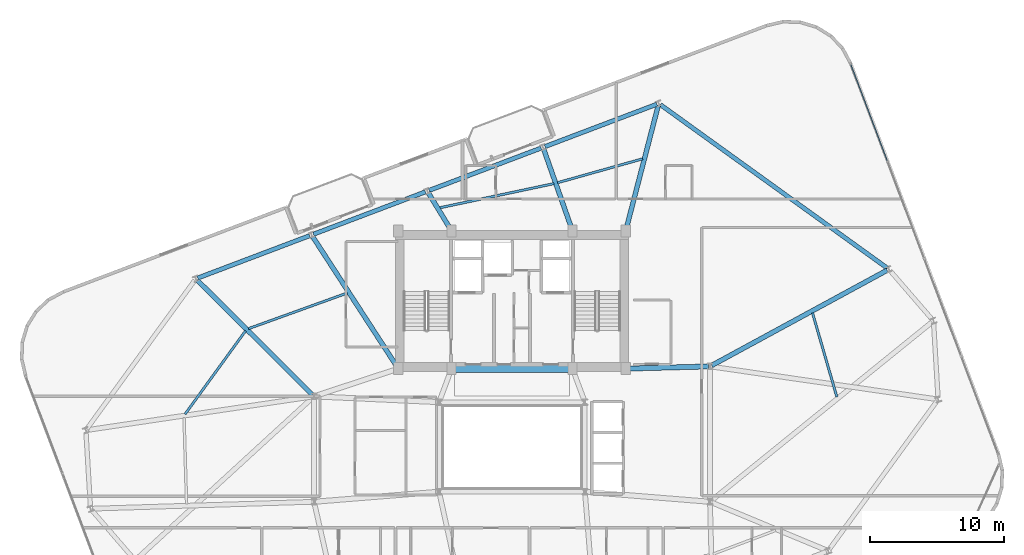
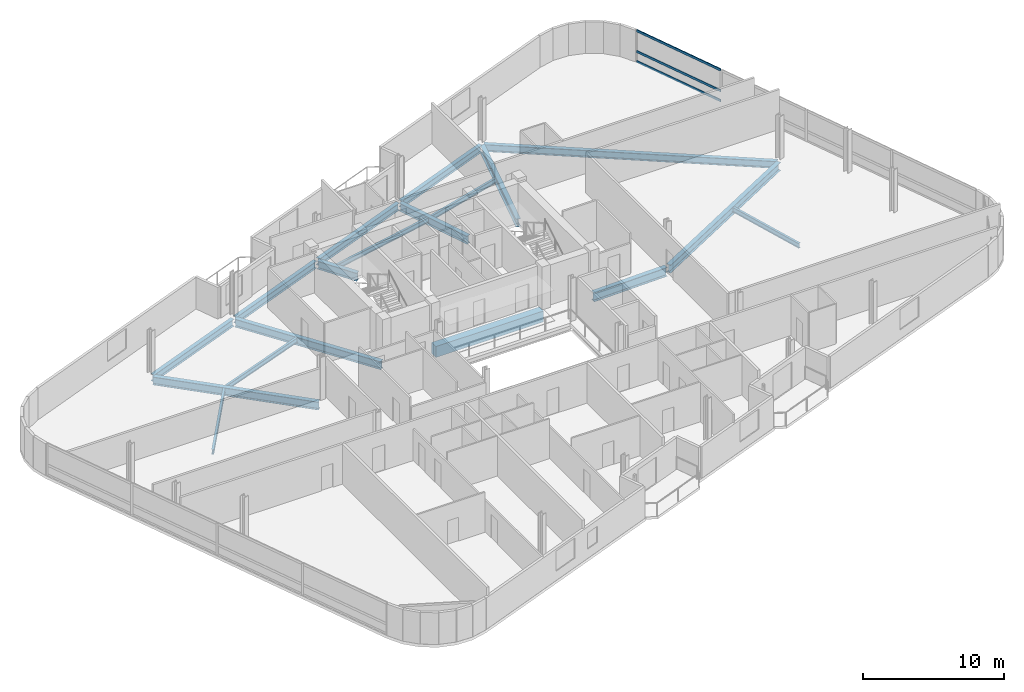
# One storey, part 11 of 24: 18 beams, 3 members, 1 element without a shape of its own.
"""IFC4 building model written with IfcOpenShell, lengths in metres."""

from ifc_helpers import new_model, si_unit, direction, frame, origin, origin_2d, place, context, subcontext, project, spatial, rectangle, hollow_rectangle, i_section, extrude, material, layer, layer_set, material_profile, profile_set, type_object, element, aggregate, save


model = new_model("IFC4")

# Units and contexts
model_context = context("Model", 3, precision=1e-05, world=origin(), true_north=direction((0.0, 1.0)))
body_context = subcontext(model_context, "Body", "Model", "MODEL_VIEW")
ifc_project = project(units=[si_unit("LENGTHUNIT", "METRE"), si_unit("AREAUNIT", "SQUARE_METRE"), si_unit("VOLUMEUNIT", "CUBIC_METRE"), si_unit("PLANEANGLEUNIT", "RADIAN"), si_unit("MASSUNIT", "GRAM", prefix="KILO")], contexts=[model_context])

# Site, building, storey
site_placement = place(None, origin())
site = spatial("IfcSite", under=ifc_project, at=site_placement, CompositionType="ELEMENT")
building_placement = place(site_placement, origin())
building = spatial("IfcBuilding", under=site, at=building_placement, Name="Varnelok Gate Tower", CompositionType="ELEMENT")
storey_placement = place(building_placement, frame((0.0, 0.0, 212.699951171875)))
storey = spatial("IfcBuildingStorey", under=building, at=storey_placement, Name="L54", CompositionType="ELEMENT", Elevation=212.699951171875)

# Beams
ifc_material_1 = material(Name="Structural Steel ASTM A992 Grade 50", Category="steel")
ifc_material_profile_1 = material_profile(ifc_material_1, i_section(OverallWidth=0.180908203125, OverallDepth=0.4169921875, WebThickness=0.010986328125, FlangeThickness=0.018310546875, FilletRadius=0.013916015625, at=origin_2d()), Name="W16X57")
ifc_profile_set_1 = profile_set([ifc_material_profile_1], Name="Structural Steel ASTM A992 Grade 50")
beam_type_1 = type_object("IfcBeamType", Name="BM-JST-W16X57", PredefinedType="JOIST", material=ifc_profile_set_1)
beam_1_placement = place(storey_placement, frame((63.483154296875, 26.640625, -0.45849609375), z_axis=(-0.278450434379, 0.960450600288, 0.0), x_axis=(-0.960450600288, -0.278450434379, 0.0)))
element("IfcBeam", 1, at=beam_1_placement, inside=storey, type_object=beam_type_1, Name="L54 Sector Floor Joist 6", PredefinedType="JOIST", context=body_context, shape_type="SweptSolid", body=[
    extrude(i_section(OverallWidth=0.180908203125, OverallDepth=0.4169921875, WebThickness=0.010986328125, FlangeThickness=0.018310546875, FilletRadius=0.013916015625, at=origin_2d()), origin(), (0.0, 0.0, 1.0), 6.541748046875),
])
beam_2_placement = place(storey_placement, frame((48.9736328125, 44.439697265625, -0.45849609375), z_axis=(-0.962703489882, -0.270558663823, 0.0), x_axis=(0.270558663823, -0.962703489882, 0.0)))
element("IfcBeam", 2, at=beam_2_placement, inside=storey, type_object=beam_type_1, Name="L54 Sector Floor Joist 7", PredefinedType="JOIST", context=body_context, shape_type="SweptSolid", body=[
    extrude(i_section(OverallWidth=0.180908203125, OverallDepth=0.4169921875, WebThickness=0.010986328125, FlangeThickness=0.018310546875, FilletRadius=0.013916015625, at=origin_2d()), origin(), (0.0, 0.0, 1.0), 6.61962890625),
])
beam_3_placement = place(storey_placement, frame((42.3291015625, 42.581787109375, -0.45849609375), z_axis=(-0.97831692742, -0.207113470162, 0.0), x_axis=(0.207113470162, -0.97831692742, 0.0)))
element("IfcBeam", 3, at=beam_3_placement, inside=storey, type_object=beam_type_1, Name="L54 Sector Floor Joist 8", PredefinedType="JOIST", context=body_context, shape_type="SweptSolid", body=[
    extrude(i_section(OverallWidth=0.180908203125, OverallDepth=0.4169921875, WebThickness=0.010986328125, FlangeThickness=0.018310546875, FilletRadius=0.013916015625, at=origin_2d()), origin(), (0.0, 0.0, 1.0), 8.733642578125),
])
beam_4_placement = place(storey_placement, frame((26.873779296875, 34.400634765625, -0.45849609375), z_axis=(-0.940629571246, -0.339434838661, 0.0), x_axis=(0.339434838661, -0.940629571246, 0.0)))
element("IfcBeam", 4, at=beam_4_placement, inside=storey, type_object=beam_type_1, Name="L54 Sector Floor Joist 9", PredefinedType="JOIST", context=body_context, shape_type="SweptSolid", body=[
    extrude(i_section(OverallWidth=0.180908203125, OverallDepth=0.4169921875, WebThickness=0.010986328125, FlangeThickness=0.018310546875, FilletRadius=0.013916015625, at=origin_2d()), origin(), (0.0, 0.0, 1.0), 7.842041015625),
])
beam_5_placement = place(storey_placement, frame((19.283447265625, 31.577880859375, -0.45849609375), z_axis=(-0.587551078191, -0.809187080048, 0.0), x_axis=(0.809187080048, -0.587551078191, 0.0)))
element("IfcBeam", 5, at=beam_5_placement, inside=storey, type_object=beam_type_1, Name="L54 Sector Floor Joist 10", PredefinedType="JOIST", context=body_context, shape_type="SweptSolid", body=[
    extrude(i_section(OverallWidth=0.180908203125, OverallDepth=0.4169921875, WebThickness=0.010986328125, FlangeThickness=0.018310546875, FilletRadius=0.013916015625, at=origin_2d()), origin(), (0.0, 0.0, 1.0), 7.697509765625),
])
ifc_material_2 = material(Name="Concrete C60/75", Category="concrete")
ifc_material_profile_2 = material_profile(ifc_material_2, rectangle(XDim=0.60009765625, YDim=0.949951171875, at=origin_2d()), Name="RC950X600")
ifc_profile_set_2 = profile_set([ifc_material_profile_2], Name="Concrete C60/75")
beam_type_2 = type_object("IfcBeamType", Name="BM-LNT-RC950", PredefinedType="LINTEL", material=ifc_profile_set_2)
beam_6_placement = place(storey_placement, frame((34.800048828125, 28.75, -0.724853515625), z_axis=(1.0, 0.0, 0.0), x_axis=(0.0, 1.0, 0.0)))
element("IfcBeam", 6, at=beam_6_placement, inside=storey, type_object=beam_type_2, Name="L54 Core-Atrium Spine Beam 7", PredefinedType="LINTEL", context=body_context, shape_type="SweptSolid", body=[
    extrude(rectangle(XDim=0.60009765625, YDim=0.949951171875, at=origin_2d()), origin(), (0.0, 0.0, 1.0), 8.800048828125),
])
ifc_material_profile_3 = material_profile(ifc_material_1, i_section(OverallWidth=0.35498046875, OverallDepth=0.696044921875, WebThickness=0.015380859375, FlangeThickness=0.02490234375, FilletRadius=0.02001953125, at=origin_2d()), Name="W27X146")
ifc_profile_set_3 = profile_set([ifc_material_profile_3], Name="Structural Steel ASTM A992 Grade 50")
beam_type_3 = type_object("IfcBeamType", Name="BM-PRI-W27X146", PredefinedType="BEAM", material=ifc_profile_set_3)
beam_7_placement = place(storey_placement, frame((54.1318359375, 28.99169921875, -0.597900390625), z_axis=(0.878855196349, 0.477088612157, 0.0), x_axis=(-0.477088612157, 0.878855196349, 0.0)))
element("IfcBeam", 7, at=beam_7_placement, inside=storey, type_object=beam_type_3, Name="L54 Radial Floor Girder 8", PredefinedType="BEAM", context=body_context, shape_type="SweptSolid", body=[
    extrude(i_section(OverallWidth=0.35498046875, OverallDepth=0.696044921875, WebThickness=0.015380859375, FlangeThickness=0.02490234375, FilletRadius=0.02001953125, at=origin_2d()), origin(), (0.0, 0.0, 1.0), 14.91650390625),
])
beam_8_placement = place(storey_placement, frame((47.73779296875, 39.1953125, -0.597900390625), z_axis=(0.251175366301, 0.967941597083, 0.0), x_axis=(-0.967941597083, 0.251175366301, 0.0)))
element("IfcBeam", 8, at=beam_8_placement, inside=storey, type_object=beam_type_3, Name="L54 Radial Floor Girder 9", PredefinedType="BEAM", context=body_context, shape_type="SweptSolid", body=[
    extrude(i_section(OverallWidth=0.35498046875, OverallDepth=0.696044921875, WebThickness=0.015380859375, FlangeThickness=0.02490234375, FilletRadius=0.02001953125, at=origin_2d()), origin(), (0.0, 0.0, 1.0), 9.537109375),
])
beam_9_placement = place(storey_placement, frame((43.670166015625, 39.19140625, -0.597900390625), z_axis=(-0.332145441042, 0.943228183419, 0.0), x_axis=(-0.943228183419, -0.332145441042, 0.0)))
element("IfcBeam", 9, at=beam_9_placement, inside=storey, type_object=beam_type_3, Name="L54 Radial Floor Girder 10", PredefinedType="BEAM", context=body_context, shape_type="SweptSolid", body=[
    extrude(i_section(OverallWidth=0.35498046875, OverallDepth=0.696044921875, WebThickness=0.015380859375, FlangeThickness=0.02490234375, FilletRadius=0.02001953125, at=origin_2d()), origin(), (0.0, 0.0, 1.0), 6.32275390625),
])
beam_10_placement = place(storey_placement, frame((34.60205078125, 39.177978515625, -0.597900390625), z_axis=(-0.520275699177, 0.853998358808, 0.0), x_axis=(-0.853998358808, -0.520275699177, 0.0)))
element("IfcBeam", 10, at=beam_10_placement, inside=storey, type_object=beam_type_3, Name="L54 Radial Floor Girder 11", PredefinedType="BEAM", context=body_context, shape_type="SweptSolid", body=[
    extrude(i_section(OverallWidth=0.35498046875, OverallDepth=0.696044921875, WebThickness=0.015380859375, FlangeThickness=0.02490234375, FilletRadius=0.02001953125, at=origin_2d()), origin(), (0.0, 0.0, 1.0), 3.18017578125),
])
beam_11_placement = place(storey_placement, frame((30.618408203125, 28.8759765625, -0.597900390625), z_axis=(-0.544016338938, 0.839074623004, 0.0), x_axis=(-0.839074623004, -0.544016338938, 0.0)))
element("IfcBeam", 11, at=beam_11_placement, inside=storey, type_object=beam_type_3, Name="L54 Radial Floor Girder 12", PredefinedType="BEAM", context=body_context, shape_type="SweptSolid", body=[
    extrude(i_section(OverallWidth=0.35498046875, OverallDepth=0.696044921875, WebThickness=0.015380859375, FlangeThickness=0.02490234375, FilletRadius=0.02001953125, at=origin_2d()), origin(), (0.0, 0.0, 1.0), 11.61376953125),
])
beam_12_placement = place(storey_placement, frame((24.293701171875, 26.785888671875, -0.597900390625), z_axis=(-0.708740938647, 0.705468838352, 0.0), x_axis=(-0.705468838352, -0.708740938647, 0.0)))
element("IfcBeam", 12, at=beam_12_placement, inside=storey, type_object=beam_type_3, Name="L54 Radial Floor Girder 13", PredefinedType="BEAM", context=body_context, shape_type="SweptSolid", body=[
    extrude(i_section(OverallWidth=0.35498046875, OverallDepth=0.696044921875, WebThickness=0.015380859375, FlangeThickness=0.02490234375, FilletRadius=0.02001953125, at=origin_2d()), origin(), (0.0, 0.0, 1.0), 12.161865234375),
])
ifc_material_profile_4 = material_profile(ifc_material_1, i_section(OverallWidth=0.381103515625, OverallDepth=0.77294921875, WebThickness=0.0166015625, FlangeThickness=0.027099609375, FilletRadius=0.02197265625, at=origin_2d()), Name="W30X173")
ifc_profile_set_4 = profile_set([ifc_material_profile_4], Name="Structural Steel ASTM A992 Grade 50")
beam_type_4 = type_object("IfcBeamType", Name="BM-PRI-W30X173", PredefinedType="BEAM", material=ifc_profile_set_4)
beam_13_placement = place(storey_placement, frame((47.820068359375, 28.753173828125, -0.636474609375), z_axis=(0.999635880609, 0.026983443053, 0.0), x_axis=(-0.026983443053, 0.999635880609, 0.0)))
element("IfcBeam", 13, at=beam_13_placement, inside=storey, type_object=beam_type_4, Name="L54 Core-Atrium Spine Beam 19", PredefinedType="BEAM", context=body_context, shape_type="SweptSolid", body=[
    extrude(i_section(OverallWidth=0.381103515625, OverallDepth=0.77294921875, WebThickness=0.0166015625, FlangeThickness=0.027099609375, FilletRadius=0.02197265625, at=origin_2d()), origin(), (0.0, 0.0, 1.0), 6.06201171875),
])
ifc_material_profile_5 = material_profile(ifc_material_1, i_section(OverallWidth=0.323974609375, OverallDepth=0.611083984375, WebThickness=0.0126953125, FlangeThickness=0.01904296875, FilletRadius=0.01806640625, at=origin_2d()), Name="W24X104")
ifc_profile_set_5 = profile_set([ifc_material_profile_5], Name="Structural Steel ASTM A992 Grade 50")
beam_type_5 = type_object("IfcBeamType", Name="BM-SPN-W24X104", PredefinedType="SPANDREL", material=ifc_profile_set_5)
beam_14_placement = place(storey_placement, frame((67.251220703125, 36.267333984375, -0.555419921875), z_axis=(-0.811382769408, 0.58451518501, 0.0), x_axis=(-0.58451518501, -0.811382769408, 0.0)))
element("IfcBeam", 14, at=beam_14_placement, inside=storey, type_object=beam_type_5, Name="L54 Perimeter Spandrel Beam 8", PredefinedType="SPANDREL", context=body_context, shape_type="SweptSolid", body=[
    extrude(i_section(OverallWidth=0.323974609375, OverallDepth=0.611083984375, WebThickness=0.0126953125, FlangeThickness=0.01904296875, FilletRadius=0.01806640625, at=origin_2d()), origin(), (0.0, 0.0, 1.0), 20.900634765625),
])
beam_15_placement = place(storey_placement, frame((50.03076171875, 48.518798828125, -0.555419921875), z_axis=(-0.935220356141, -0.354066216208, 0.0), x_axis=(0.354066216208, -0.935220356141, 0.0)))
element("IfcBeam", 15, at=beam_15_placement, inside=storey, type_object=beam_type_5, Name="L54 Perimeter Spandrel Beam 9", PredefinedType="SPANDREL", context=body_context, shape_type="SweptSolid", body=[
    extrude(i_section(OverallWidth=0.323974609375, OverallDepth=0.611083984375, WebThickness=0.0126953125, FlangeThickness=0.01904296875, FilletRadius=0.01806640625, at=origin_2d()), origin(), (0.0, 0.0, 1.0), 8.9501953125),
])
for number, where, z_axis, x_axis, name in (
    (16, (41.3798828125, 45.24365234375, -0.555419921875), (-0.935225969099, -0.354051389947, 0.0), (0.354051389947, -0.935225969099, 0.0), "L54 Perimeter Spandrel Beam 10"),
    (17, (32.72900390625, 41.96875, -0.555419921875), (-0.935216936382, -0.354075248928, 0.0), (0.354075248928, -0.935216936382, 0.0), "L54 Perimeter Spandrel Beam 11"),
):
    element("IfcBeam", number, at=place(storey_placement, frame(where, z_axis=z_axis, x_axis=x_axis)), inside=storey, type_object=beam_type_5, Name=name, PredefinedType="SPANDREL", context=body_context, shape_type="SweptSolid", body=[
        extrude(i_section(OverallWidth=0.323974609375, OverallDepth=0.611083984375, WebThickness=0.0126953125, FlangeThickness=0.01904296875, FilletRadius=0.01806640625, at=origin_2d()), origin(), (0.0, 0.0, 1.0), 8.949951171875),
    ])
beam_16_placement = place(storey_placement, frame((24.078369140625, 38.693603515625, -0.555419921875), z_axis=(-0.935220356141, -0.354066216208, 0.0), x_axis=(0.354066216208, -0.935220356141, 0.0)))
element("IfcBeam", 18, at=beam_16_placement, inside=storey, type_object=beam_type_5, Name="L54 Perimeter Spandrel Beam 12", PredefinedType="SPANDREL", context=body_context, shape_type="SweptSolid", body=[
    extrude(i_section(OverallWidth=0.323974609375, OverallDepth=0.611083984375, WebThickness=0.0126953125, FlangeThickness=0.01904296875, FilletRadius=0.01806640625, at=origin_2d()), origin(), (0.0, 0.0, 1.0), 8.9501953125),
])

# Curtain wall, members
ifc_material_3 = material(Name="Anodized Aluminum Alloy 6063-T6", Category="aluminium")
ifc_layer = layer(ifc_material_3, 0.179931640625)
ifc_layer_set = layer_set([ifc_layer], Name="Anodized Aluminum Alloy 6063-T6")
curtain_wall_type = type_object("IfcCurtainWallType", Name="CW4-RESIDENCE-VISION", PredefinedType="USERDEFINED", material=ifc_layer_set)
curtain_wall_placement = place(storey_placement, origin())
curtain_wall = element("IfcCurtainWall", 19, at=curtain_wall_placement, inside=storey, type_object=curtain_wall_type, Name="L54 East End Vision Curtain Wall", ObjectType="UNITISED CURTAIN WALL", PredefinedType="USERDEFINED")
ifc_material_profile_6 = material_profile(ifc_material_3, hollow_rectangle(XDim=0.074951171875, YDim=0.199951171875, WallThickness=0.00390625, at=origin_2d()), Name="ALU200X75X4")
ifc_profile_set_6 = profile_set([ifc_material_profile_6], Name="Anodized Aluminum Alloy 6063-T6")
member_type = type_object("IfcMemberType", Name="CW-TRAN-200", PredefinedType="USERDEFINED", material=ifc_profile_set_6)
member_1_placement = place(storey_placement, frame((64.528076171875, 51.4892578125, 0.03759765625), z_axis=(0.354073041953, -0.935217771945, 0.0), x_axis=(0.935217771945, 0.354073041953, 0.0)))
member_1 = element("IfcMember", 20, at=member_1_placement, type_object=member_type, Name="CW4 transom 1.1", ObjectType="TRANSOM", PredefinedType="USERDEFINED", context=body_context, shape_type="SweptSolid", body=[
    extrude(hollow_rectangle(XDim=0.074951171875, YDim=0.199951171875, WallThickness=0.00390625, at=origin_2d()), origin(), (0.0, 0.0, 1.0), 7.6875),
])
member_2_placement = place(storey_placement, frame((64.528076171875, 51.4892578125, 0.900146484375), z_axis=(0.354073041953, -0.935217771945, 0.0), x_axis=(0.935217771945, 0.354073041953, 0.0)))
member_2 = element("IfcMember", 21, at=member_2_placement, type_object=member_type, Name="CW4 transom 1.2", ObjectType="TRANSOM", PredefinedType="USERDEFINED", context=body_context, shape_type="SweptSolid", body=[
    extrude(hollow_rectangle(XDim=0.074951171875, YDim=0.199951171875, WallThickness=0.00390625, at=origin_2d()), origin(), (0.0, 0.0, 1.0), 7.6875),
])
member_3_placement = place(storey_placement, frame((64.528076171875, 51.4892578125, 2.692626953125), z_axis=(0.354073041953, -0.935217771945, 0.0), x_axis=(0.935217771945, 0.354073041953, 0.0)))
member_3 = element("IfcMember", 22, at=member_3_placement, type_object=member_type, Name="CW4 transom 1.3", ObjectType="TRANSOM", PredefinedType="USERDEFINED", context=body_context, shape_type="SweptSolid", body=[
    extrude(hollow_rectangle(XDim=0.074951171875, YDim=0.199951171875, WallThickness=0.00390625, at=origin_2d()), origin(), (0.0, 0.0, 1.0), 7.6875),
])
aggregate(curtain_wall, [member_1, member_2, member_3])

save(model, "model.ifc")
